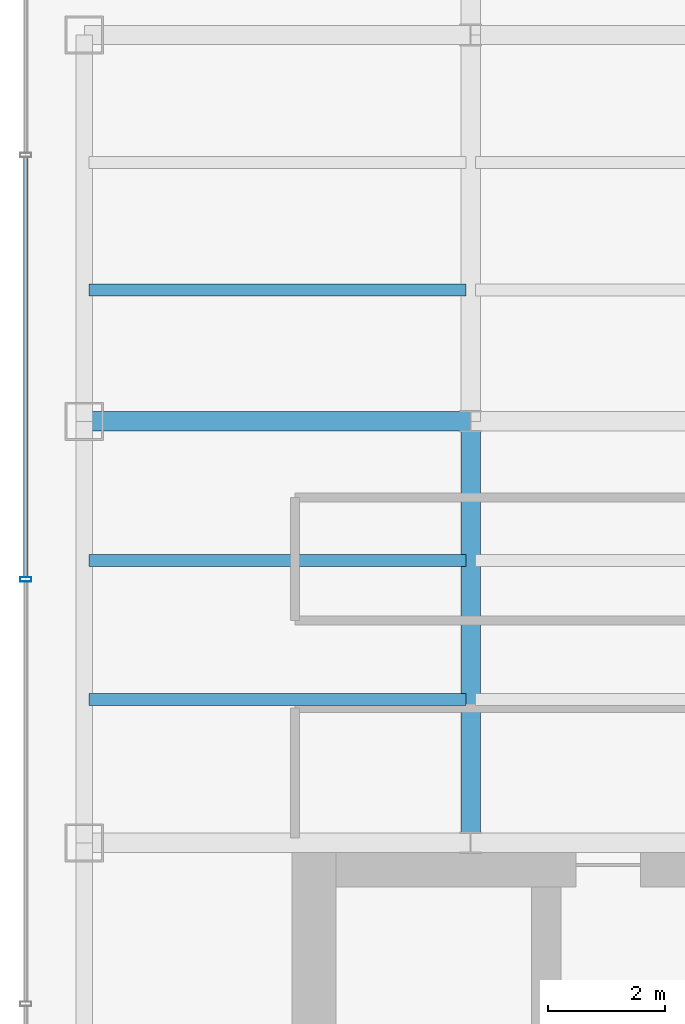
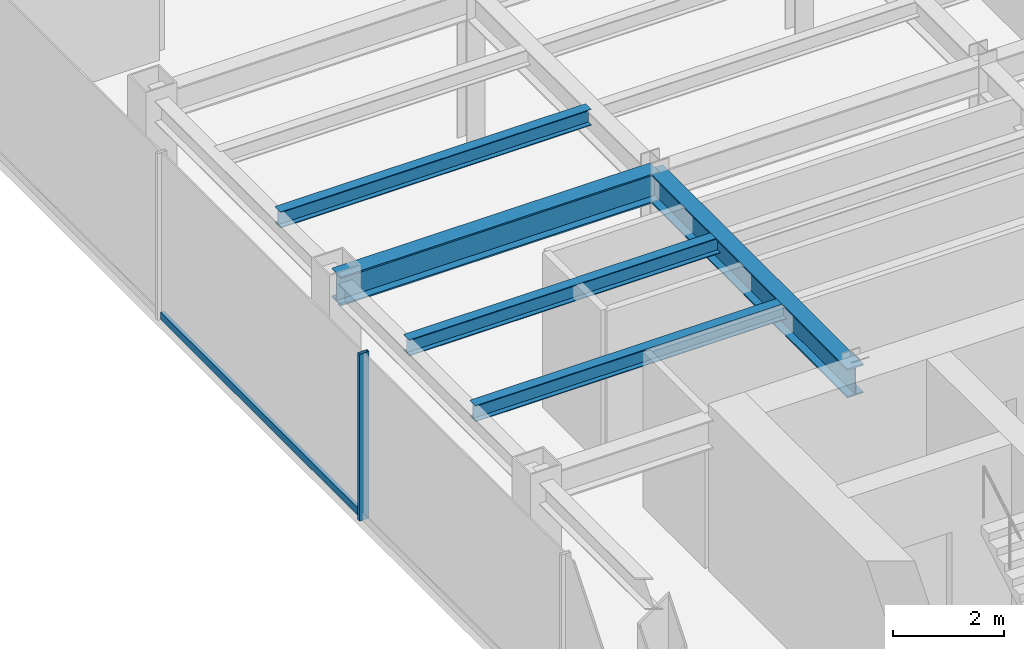
# One storey, part 5 of 25: 5 beams, 2 members, 1 element without a shape of its own.
"""IFC4 building model written with IfcOpenShell, lengths in metres."""

from ifc_helpers import new_model, si_unit, derived_unit, direction, frame, origin, origin_2d, place, context, subcontext, project, spatial, hollow_rectangle, i_section, extrude, source, transform, mapped, material, material_profile, profile_set, type_object, element, aggregate, save


model = new_model("IFC4")

# Units and contexts
model_context = context("Model", 3, precision=1e-05, world=origin(), true_north=direction((0.0, 1.0)))
body_context = subcontext(model_context, "Body", "Model", "MODEL_VIEW")
ifc_project = project(units=[si_unit("LENGTHUNIT", "METRE"), si_unit("AREAUNIT", "SQUARE_METRE"), si_unit("VOLUMEUNIT", "CUBIC_METRE"), si_unit("PLANEANGLEUNIT", "RADIAN"), si_unit("MASSUNIT", "GRAM", prefix="KILO"), derived_unit("THERMALTRANSMITTANCEUNIT", [(si_unit("POWERUNIT", "WATT"), 1), (si_unit("LENGTHUNIT", "METRE"), -2), (si_unit("THERMODYNAMICTEMPERATUREUNIT", "KELVIN"), -1)])], contexts=[model_context])

# Site, building, storey
site_placement = place(None, origin())
site = spatial("IfcSite", under=ifc_project, at=site_placement, CompositionType="ELEMENT")
building_placement = place(site_placement, origin())
building = spatial("IfcBuilding", under=site, at=building_placement, Name="Skarnbrae Concourse Arena and Tower", CompositionType="ELEMENT")
storey_placement = place(building_placement, frame((0.0, 0.0, 177.10009765625)))
storey = spatial("IfcBuildingStorey", under=building, at=storey_placement, Name="L45", CompositionType="ELEMENT", Elevation=177.10009765625)

# Beams
ifc_material_1 = material(Name="Steel CSA G40.21 350W", Category="steel")
ifc_material_profile_1 = material_profile(ifc_material_1, i_section(OverallWidth=0.3291015625, OverallDepth=0.635009765625, WebThickness=0.017822265625, FlangeThickness=0.031005859375, at=origin_2d()), Name="W610X241")
ifc_profile_set_1 = profile_set([ifc_material_profile_1], Name="Steel CSA G40.21 350W")
beam_type_1 = type_object("IfcBeamType", Name="BM-GIRD-W610X241", PredefinedType="BEAM", material=ifc_profile_set_1)
shared_shape_1 = source(origin(), body_context, "Body", "SweptSolid", [
    extrude(i_section(OverallWidth=0.3291015625, OverallDepth=0.635009765625, WebThickness=0.017822265625, FlangeThickness=0.031005859375, at=origin_2d()), origin(), (0.0, 0.0, 1.0), 6.60009765625),
])
beam_1_placement = place(storey_placement, frame((1.0, 21.199951171875, 3.08251953125), z_axis=(1.0, 0.0, 0.0), x_axis=(0.0, 1.0, 0.0)))
element("IfcBeam", 1, at=beam_1_placement, inside=storey, type_object=beam_type_1, Name="L45 Primary E-W girder Y21.2-1", PredefinedType="BEAM", context=body_context, shape_type="MappedRepresentation", body=[
    mapped(shared_shape_1, transform((0.0, 0.0, 0.0))),
])
shared_shape_2 = source(origin(), body_context, "Body", "SweptSolid", [
    extrude(i_section(OverallWidth=0.3291015625, OverallDepth=0.635009765625, WebThickness=0.017822265625, FlangeThickness=0.031005859375, at=origin_2d()), origin(), (0.0, 0.0, 1.0), 7.199951171875),
])
beam_2_placement = place(storey_placement, frame((7.60009765625, 14.0, 3.08251953125), z_axis=(0.0, 1.0, 0.0), x_axis=(-1.0, 0.0, 0.0)))
element("IfcBeam", 2, at=beam_2_placement, inside=storey, type_object=beam_type_1, Name="L45 Primary N-S girder X7.6-1", PredefinedType="BEAM", context=body_context, shape_type="MappedRepresentation", body=[
    mapped(shared_shape_2, transform((0.0, 0.0, 0.0))),
])
ifc_material_profile_2 = material_profile(ifc_material_1, i_section(OverallWidth=0.205078125, OverallDepth=0.35400390625, WebThickness=0.009521484375, FlangeThickness=0.016845703125, at=origin_2d()), Name="W360X79")
ifc_profile_set_2 = profile_set([ifc_material_profile_2], Name="Steel CSA G40.21 350W")
beam_type_2 = type_object("IfcBeamType", Name="BM-JOIST-W360X79", PredefinedType="JOIST", material=ifc_profile_set_2)
shared_shape_3 = source(origin(), body_context, "Body", "SweptSolid", [
    extrude(i_section(OverallWidth=0.205078125, OverallDepth=0.35400390625, WebThickness=0.009521484375, FlangeThickness=0.016845703125, at=origin_2d()), origin(), (0.0, 0.0, 1.0), 6.43994140625),
])
for number, where, z_axis, x_axis, name in (
    (3, (1.080078125, 16.447998046875, 3.222900390625), (1.0, 0.0, 0.0), (0.0, 1.0, 0.0), "L45 Secondary floor joist 1.1.1"),
    (4, (1.080078125, 18.823974609375, 3.222900390625), (1.0, 0.0, 0.0), (0.0, 1.0, 0.0), "L45 Secondary floor joist 1.2.1"),
    (5, (1.080078125, 23.444091796875, 3.222900390625), (1.0, 0.0, 0.0), (0.0, 1.0, 0.0), "L45 Secondary floor joist 2.1.1"),
):
    element("IfcBeam", number, at=place(storey_placement, frame(where, z_axis=z_axis, x_axis=x_axis)), inside=storey, type_object=beam_type_2, Name=name, PredefinedType="JOIST", context=body_context, shape_type="MappedRepresentation", body=[
        mapped(shared_shape_3, transform((0.0, 0.0, 0.0))),
    ])

# Curtain wall, members
ifc_material_2 = material(Name="Bronze anodised aluminium 6063-T6", Category="aluminium")
curtain_wall_type = type_object("IfcCurtainWallType", Name="CW-SYS-04-MIDZONE", PredefinedType="USERDEFINED", material=ifc_material_2)
curtain_wall_placement = place(storey_placement, origin())
curtain_wall = element("IfcCurtainWall", 6, at=curtain_wall_placement, inside=storey, type_object=curtain_wall_type, Name="L45 Unitised curtain wall CW-L45-E18", ObjectType="UNITISED CURTAIN WALL", PredefinedType="USERDEFINED")
ifc_material_profile_3 = material_profile(ifc_material_2, hollow_rectangle(XDim=0.074951171875, YDim=0.195068359375, WallThickness=0.00439453125, at=origin_2d()), Name="ALU-MULL-75X195")
ifc_profile_set_3 = profile_set([ifc_material_profile_3], Name="Bronze anodised aluminium 6063-T6")
member_type_1 = type_object("IfcMemberType", Name="CWM-CW-04", PredefinedType="MULLION", material=ifc_profile_set_3)
shared_shape_4 = source(origin(), body_context, "Body", "SweptSolid", [
    extrude(hollow_rectangle(XDim=0.074951171875, YDim=0.195068359375, WallThickness=0.00439453125, at=origin_2d()), origin(), (0.0, 0.0, 1.0), 3.64990234375),
])
member_1_placement = place(storey_placement, frame((0.0, 18.5, 0.0), z_axis=(0.0, 0.0, 1.0), x_axis=(0.0, -1.0, 0.0)))
member_1 = element("IfcMember", 7, at=member_1_placement, type_object=member_type_1, Name="CW-L45-E18 Mullion 3", PredefinedType="MULLION", context=body_context, shape_type="MappedRepresentation", body=[
    mapped(shared_shape_4, transform((0.0, 0.0, 0.0))),
])
ifc_material_profile_4 = material_profile(ifc_material_2, hollow_rectangle(XDim=0.074951171875, YDim=0.159912109375, WallThickness=0.00439453125, at=origin_2d()), Name="ALU-TRAN-75X160")
ifc_profile_set_4 = profile_set([ifc_material_profile_4], Name="Bronze anodised aluminium 6063-T6")
member_type_2 = type_object("IfcMemberType", Name="CWT-CW-04", PredefinedType="USERDEFINED", material=ifc_profile_set_4)
shared_shape_5 = source(origin(), body_context, "Body", "SweptSolid", [
    extrude(hollow_rectangle(XDim=0.074951171875, YDim=0.159912109375, WallThickness=0.00439453125, at=origin_2d()), origin(), (0.0, 0.0, 1.0), 7.1748046875),
])
member_2_placement = place(storey_placement, frame((0.0, 25.71240234375, 0.079833984375), z_axis=(0.0, -1.0, 0.0), x_axis=(1.0, 0.0, 0.0)))
member_2 = element("IfcMember", 8, at=member_2_placement, type_object=member_type_2, Name="CW-L45-E18 Transom 2", ObjectType="TRANSOM", PredefinedType="USERDEFINED", context=body_context, shape_type="MappedRepresentation", body=[
    mapped(shared_shape_5, transform((0.0, 0.0, 0.0))),
])
aggregate(curtain_wall, [member_1, member_2])

save(model, "model.ifc")
